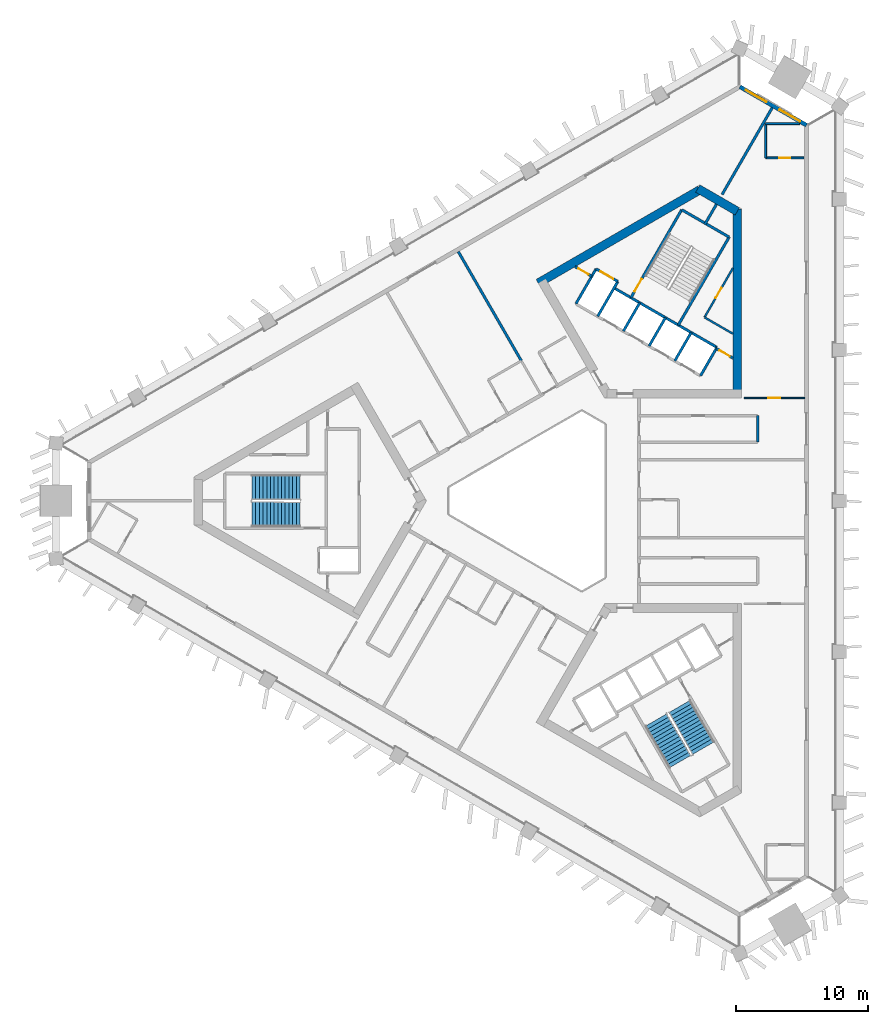
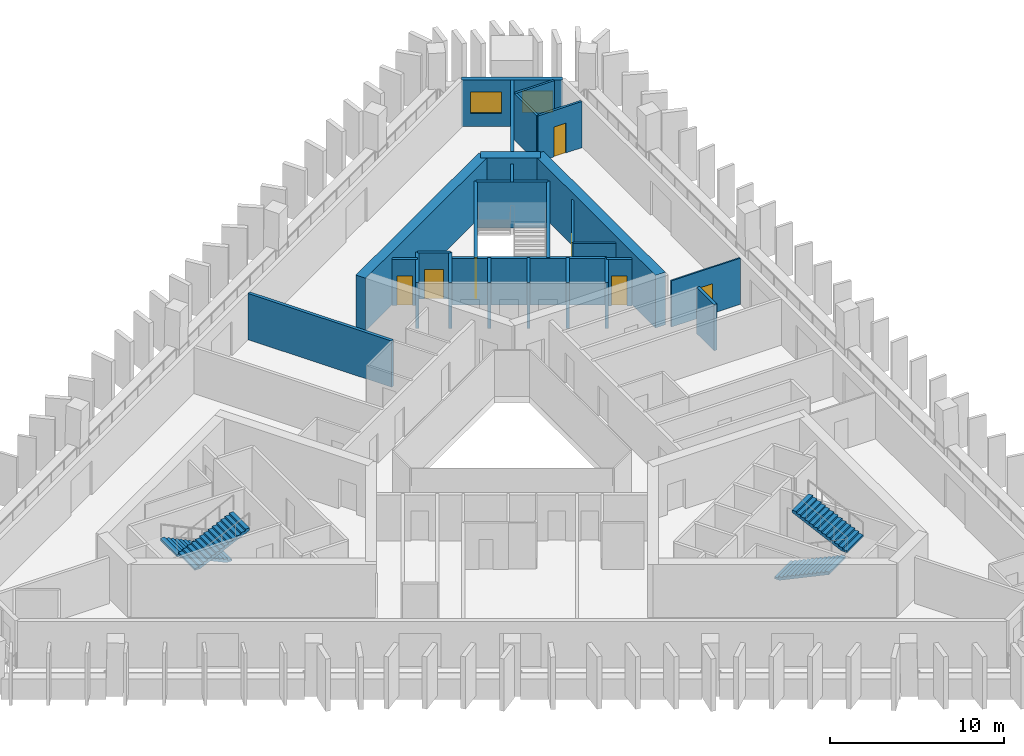
# One storey, part 6 of 11: 27 walls, 7 doors, 4 stair flights, 2 windows, 9 openings, 2 elements without a shape of their own.
"""IFC4 building model written with IfcOpenShell, lengths in metres."""

import ifcopenshell
import ifcopenshell.guid

model = None  # the IFC model being written
_history = None  # IfcOwnerHistory: only IFC2X3 demands one
_inside = {}  # id of a spatial element -> (the spatial element, [elements in it])
_under = {}  # id of a project, library or spatial element -> (it, [spatial elements below it])
_declared = {}  # id of a project -> (the project, [libraries it declares])
_typed = {}  # id of a type object -> (the type object, [elements of that type])
_made_of = {}  # id of a material, layer set ... -> (it, [elements and type objects made of it])


def new_model(schema):
    """Start an empty IFC model of exactly this schema.

    Asked for "IFC4X3", IfcOpenShell would pick the latest addendum, in which some entities
    have other attributes; the version numbers below select the first issue.
    IFC2X3 requires an IfcOwnerHistory on every rooted entity: one is made here for all.
    """
    global model, _history
    if schema == "IFC4X3":
        model = ifcopenshell.file(schema_version=(4, 3, 0, 0))
    else:
        model = ifcopenshell.file(schema=schema)
    _inside.clear()
    _under.clear()
    _declared.clear()
    _typed.clear()
    _made_of.clear()
    _history = None
    if model.schema == "IFC2X3":
        org = make("IfcOrganization", Name="unknown")
        user = make(
            "IfcPersonAndOrganization",
            ThePerson=make("IfcPerson", FamilyName="unknown"),
            TheOrganization=org,
        )
        app = make(
            "IfcApplication",
            ApplicationDeveloper=org,
            Version="unknown",
            ApplicationFullName="unknown",
            ApplicationIdentifier="unknown",
        )
        _history = make(
            "IfcOwnerHistory",
            OwningUser=user,
            OwningApplication=app,
            ChangeAction="ADDED",
            CreationDate=0,
        )
    return model


def make(cls, **values):
    """One entity of the class cls with the attributes given. An attribute that is None is left unset."""
    return model.create_entity(
        cls, **{name: value for name, value in values.items() if value is not None}
    )


def rooted(cls, **values):
    """An entity with a GlobalId (a new one), such as an element, a storey or a relation."""
    return make(cls, GlobalId=ifcopenshell.guid.new(), OwnerHistory=_history, **values)


def si_unit(unit_type, name, prefix=None):
    """IfcSIUnit, for example si_unit("LENGTHUNIT", "METRE", prefix="MILLI")."""
    return make("IfcSIUnit", UnitType=unit_type, Prefix=prefix, Name=name)


def assignment(units):
    """IfcUnitAssignment: the units of a project."""
    return None if units is None else make("IfcUnitAssignment", Units=units)


def point(xyz):
    """IfcCartesianPoint."""
    return None if xyz is None else make("IfcCartesianPoint", Coordinates=xyz)


def direction(xyz):
    """IfcDirection."""
    return None if xyz is None else make("IfcDirection", DirectionRatios=xyz)


def frame(location, z_axis=None, x_axis=None):
    """IfcAxis2Placement3D, a coordinate frame: its origin and axes. An axis left out is left unset."""
    return make(
        "IfcAxis2Placement3D",
        Location=point(location),
        Axis=direction(z_axis),
        RefDirection=direction(x_axis),
    )


def frame_2d(location, x_axis=None):
    """IfcAxis2Placement2D, a coordinate frame in the plane: its origin and x axis."""
    return make(
        "IfcAxis2Placement2D", Location=point(location), RefDirection=direction(x_axis)
    )


def origin():
    """The frame at (0, 0, 0) with its axes left unset."""
    return frame((0.0, 0.0, 0.0))


def place(relative_to, where):
    """IfcLocalPlacement: puts the frame where relative to a parent placement (None: the world)."""
    return make(
        "IfcLocalPlacement", PlacementRelTo=relative_to, RelativePlacement=where
    )


def context(
    kind, dimensions, precision=None, world=None, true_north=None, identifier=None
):
    """IfcGeometricRepresentationContext, for example the 3D "Model" context."""
    return make(
        "IfcGeometricRepresentationContext",
        ContextIdentifier=identifier,
        ContextType=kind,
        CoordinateSpaceDimension=dimensions,
        Precision=precision,
        WorldCoordinateSystem=world,
        TrueNorth=true_north,
    )


def subcontext(parent, identifier, kind, view, scale=None):
    """IfcGeometricRepresentationSubContext, for example "Body" below "Model"."""
    return make(
        "IfcGeometricRepresentationSubContext",
        ContextIdentifier=identifier,
        ContextType=kind,
        ParentContext=parent,
        TargetScale=scale,
        TargetView=view,
    )


def project(units=None, contexts=None):
    """IfcProject with its units and contexts."""
    return rooted(
        "IfcProject",
        Name="project",
        RepresentationContexts=contexts,
        UnitsInContext=assignment(units),
    )


def spatial(cls, under=None, at=None, **own):
    """A site, building, storey or space (cls), placed at a placement, below another one or the project."""
    s = rooted(cls, ObjectPlacement=at, **own)
    if under is not None:
        _under.setdefault(under.id(), (under, []))[1].append(s)
    return s


def polyline(points):
    """IfcPolyline through the points."""
    return make("IfcPolyline", Points=[point(p) for p in points])


def profile(cls, at=None, kind="AREA", **sizes):
    """A parametric profile (cls). Its sizes go by their IFC names, for example OverallWidth=200.0."""
    return make(cls, ProfileType=kind, Position=at, **sizes)


def rectangle(**sizes):
    """IfcRectangleProfileDef."""
    return profile("IfcRectangleProfileDef", **sizes)


def outline(outer, holes=None, kind="AREA"):
    """IfcArbitraryClosedProfileDef: a profile drawn as a closed curve; with holes, ...WithVoids."""
    if holes is None:
        return make("IfcArbitraryClosedProfileDef", ProfileType=kind, OuterCurve=outer)
    return make(
        "IfcArbitraryProfileDefWithVoids",
        ProfileType=kind,
        OuterCurve=outer,
        InnerCurves=holes,
    )


def extrude(swept, where, along, depth):
    """IfcExtrudedAreaSolid: the profile swept, set in the frame where, extruded along a direction by depth."""
    return make(
        "IfcExtrudedAreaSolid",
        SweptArea=swept,
        Position=where,
        ExtrudedDirection=direction(along),
        Depth=depth,
    )


def shape(context_of_items, identifier, shape_type, items):
    """IfcShapeRepresentation: the items that make up one representation, for example the "Body"."""
    return make(
        "IfcShapeRepresentation",
        ContextOfItems=context_of_items,
        RepresentationIdentifier=identifier,
        RepresentationType=shape_type,
        Items=items,
    )


def material(Name=None, Category=None):
    """IfcMaterial."""
    return make("IfcMaterial", Name=Name, Category=Category)


def layer(
    of_material, thickness, ventilated=None, Name=None, Category=None, Priority=None
):
    """IfcMaterialLayer: one layer of a wall or slab, of a material (None: an air gap)."""
    return make(
        "IfcMaterialLayer",
        Material=of_material,
        LayerThickness=thickness,
        IsVentilated=ventilated,
        Name=Name,
        Category=Category,
        Priority=Priority,
    )


def layer_set(layers, Name=None):
    """IfcMaterialLayerSet."""
    return make("IfcMaterialLayerSet", MaterialLayers=layers, LayerSetName=Name)


def made_of(thing, what):
    """Note that an element or type object is made of a material, layer set ...; save() writes the relation."""
    if what is not None:
        _made_of.setdefault(what.id(), (what, []))[1].append(thing)
    return thing


def type_object(cls, material=None, **own):
    """A type object (cls), such as IfcWallType, which elements share."""
    return made_of(rooted(cls, **own), material)


def element(
    cls,
    number,
    at=None,
    inside=None,
    cuts=None,
    type_object=None,
    material=None,
    context=None,
    identifier="Body",
    shape_type=None,
    held_by="IfcProductDefinitionShape",
    body=None,
    shapes=None,
    **own,
):
    """One element of the class cls, such as IfcWall. Its Tag is "e" and its number.

    at: its placement. inside: the storey or other place that contains it. cuts: it is an
    opening in that element (IfcRelVoidsElement). A single representation is given by context,
    identifier, shape_type and body (its items); several are given by shapes. held_by: the class
    of the entity that holds the representations. save() writes the other relations.
    """
    e = rooted(cls, Tag="e%d" % number, ObjectPlacement=at, **own)
    if body is not None:
        shapes = [shape(context, identifier, shape_type, body)]
    if shapes is not None:
        e.Representation = make(held_by, Representations=shapes)
    if inside is not None:
        _inside.setdefault(inside.id(), (inside, []))[1].append(e)
    if cuts is not None:
        rooted(
            "IfcRelVoidsElement", RelatingBuildingElement=cuts, RelatedOpeningElement=e
        )
    if type_object is not None:
        _typed.setdefault(type_object.id(), (type_object, []))[1].append(e)
    return made_of(e, material)


def fill(opening, filler):
    """IfcRelFillsElement: the door or window that sits in an opening."""
    return rooted(
        "IfcRelFillsElement",
        RelatingOpeningElement=opening,
        RelatedBuildingElement=filler,
    )


def aggregate(whole, parts):
    """IfcRelAggregates: a whole, such as a stair, and the parts it consists of."""
    return rooted("IfcRelAggregates", RelatingObject=whole, RelatedObjects=parts)


def save(model, path):
    """Write the relations noted so far, then the file.

    IfcRelAggregates (storeys below a building ...), IfcRelContainedInSpatialStructure (elements
    in a storey), IfcRelDefinesByType, IfcRelAssociatesMaterial and IfcRelDeclares: one each for
    every whole, place, type object, material and project.
    """
    for whole, parts in _under.values():
        aggregate(whole, parts)
    for where, things in _inside.values():
        rooted(
            "IfcRelContainedInSpatialStructure",
            RelatedElements=things,
            RelatingStructure=where,
        )
    for kind, things in _typed.values():
        rooted("IfcRelDefinesByType", RelatedObjects=things, RelatingType=kind)
    for what, things in _made_of.values():
        rooted("IfcRelAssociatesMaterial", RelatedObjects=things, RelatingMaterial=what)
    for by, libraries in _declared.values():
        rooted("IfcRelDeclares", RelatingContext=by, RelatedDefinitions=libraries)
    model.write(path)


model = new_model("IFC4")

# Units and contexts
model_context = context("Model", 3, precision=1e-05, world=origin(), true_north=direction((0.0, 1.0)))
body_context = subcontext(model_context, "Body", "Model", "MODEL_VIEW")
ifc_project = project(units=[si_unit("LENGTHUNIT", "METRE"), si_unit("AREAUNIT", "SQUARE_METRE"), si_unit("VOLUMEUNIT", "CUBIC_METRE"), si_unit("PLANEANGLEUNIT", "RADIAN"), si_unit("MASSUNIT", "GRAM", prefix="KILO")], contexts=[model_context])

# Site, building, storey
site_placement = place(None, origin())
site = spatial("IfcSite", under=ifc_project, at=site_placement, CompositionType="ELEMENT")
building_placement = place(site_placement, origin())
building = spatial("IfcBuilding", under=site, at=building_placement, Name="Jabali Bay Hotel Tower and Convention Centre", CompositionType="ELEMENT")
storey_placement = place(building_placement, frame((0.0, 0.0, 114.199951171875)))
storey = spatial("IfcBuildingStorey", under=building, at=storey_placement, Name="L27", CompositionType="ELEMENT", Elevation=114.199951171875)

# Wall
ifc_material_1 = material(Name="Concrete C40", Category="concrete")
ifc_layer_1 = layer(ifc_material_1, 0.199951171875)
ifc_layer_set_1 = layer_set([ifc_layer_1], Name="Concrete C40")
wall_type_1 = type_object("IfcWallType", Name="Core partition wall 200", PredefinedType="PARTITIONING", material=ifc_layer_set_1)
wall_1_placement = place(storey_placement, frame((87.090087890625, 100.9404296875, 0.0), z_axis=(0.0, 0.0, 1.0), x_axis=(0.499944938281, 0.866057191349, 0.0)))
element("IfcWall", 1, at=wall_1_placement, inside=storey, type_object=wall_type_1, Name="Core wall 1.5 L27", PredefinedType="PARTITIONING", context=body_context, shape_type="SweptSolid", body=[
    extrude(rectangle(XDim=1.773193359375, YDim=0.199951171875, at=frame_2d((0.88671875, 0.0))), origin(), (0.0, 0.0, 1.0), 3.25),
])

# Wall, opening, door
wall_2_placement = place(storey_placement, frame((89.22998046875, 90.813720703125, 0.0), z_axis=(0.0, 0.0, 1.0), x_axis=(-0.866022048785, 0.500005810984, 0.0)))
wall_2 = element("IfcWall", 2, at=wall_2_placement, inside=storey, type_object=wall_type_1, Name="Core wall 1.11 L27", PredefinedType="PARTITIONING", context=body_context, shape_type="SweptSolid", body=[
    extrude(rectangle(XDim=1.466796875, YDim=0.199951171875, at=frame_2d((0.7333984375, 0.0))), origin(), (0.0, 0.0, 1.0), 3.25),
])
opening_1_placement = place(wall_2_placement, frame((0.283447265625, 0.0, 0.0)))
opening_1 = element("IfcOpeningElement", 3, at=opening_1_placement, cuts=wall_2, Name="Opening D612", PredefinedType="OPENING", context=body_context, shape_type="SweptSolid", body=[
    extrude(rectangle(XDim=0.89990234375, YDim=2.10009765625, at=frame_2d((0.449951171875, 1.050048828125))), frame((0.0, 0.1103515625, 0.0), z_axis=(0.0, -1.0, 0.0), x_axis=(1.0, 0.0, 0.0)), (0.0, 0.0, 1.0), 0.220947265625),
])
ifc_material_2 = material(Name="Fire-rated steel door", Category="steel")
door_type_1 = type_object("IfcDoorType", Name="Vestibule fire door 900 x 2100", OperationType="NOTDEFINED", PredefinedType="NOTDEFINED", material=ifc_material_2)
door_1_placement = place(opening_1_placement, origin())
door_1 = element("IfcDoor", 4, at=door_1_placement, inside=storey, type_object=door_type_1, Name="Vestibule fire door D612", OperationType="SINGLE_SWING_LEFT", OverallHeight=2.10009765625, OverallWidth=0.89990234375, PredefinedType="NOTDEFINED", context=body_context, shape_type="SweptSolid", body=[
    extrude(rectangle(XDim=0.89990234375, YDim=2.10009765625, at=frame_2d((0.449951171875, 1.050048828125))), frame((0.0, 0.02490234375, 0.0), z_axis=(0.0, -1.0, 0.0), x_axis=(1.0, 0.0, 0.0)), (0.0, 0.0, 1.0), 0.050048828125),
])
fill(opening_1, door_1)

wall_3_placement = place(storey_placement, frame((78.5302734375, 97.014404296875, 0.0), z_axis=(0.0, 0.0, 1.0), x_axis=(-0.866045896294, 0.499964504253, 0.0)))
wall_3 = element("IfcWall", 5, at=wall_3_placement, inside=storey, type_object=wall_type_1, Name="Core wall 1.12 L27", PredefinedType="PARTITIONING", context=body_context, shape_type="SweptSolid", body=[
    extrude(rectangle(XDim=1.455078125, YDim=0.199951171875, at=frame_2d((0.7275390625, 0.0))), origin(), (0.0, 0.0, 1.0), 3.25),
])
opening_2_placement = place(wall_3_placement, frame((0.277587890625, 0.0, 0.0)))
opening_2 = element("IfcOpeningElement", 6, at=opening_2_placement, cuts=wall_3, Name="Opening D611", PredefinedType="OPENING", context=body_context, shape_type="SweptSolid", body=[
    extrude(rectangle(XDim=0.89990234375, YDim=2.10009765625, at=frame_2d((0.449951171875, 1.050048828125))), frame((0.0, 0.1103515625, 0.0), z_axis=(0.0, -1.0, 0.0), x_axis=(1.0, 0.0, 0.0)), (0.0, 0.0, 1.0), 0.220947265625),
])
door_2_placement = place(opening_2_placement, origin())
door_2 = element("IfcDoor", 7, at=door_2_placement, inside=storey, type_object=door_type_1, Name="Vestibule fire door D611", OperationType="SINGLE_SWING_LEFT", OverallHeight=2.10009765625, OverallWidth=0.89990234375, PredefinedType="NOTDEFINED", context=body_context, shape_type="SweptSolid", body=[
    extrude(rectangle(XDim=0.89990234375, YDim=2.10009765625, at=frame_2d((0.449951171875, 1.050048828125))), frame((0.0, 0.02490234375, 0.0), z_axis=(0.0, -1.0, 0.0), x_axis=(1.0, 0.0, 0.0)), (0.0, 0.0, 1.0), 0.050048828125),
])
fill(opening_2, door_2)

ifc_material_3 = material(Name="Fire-rated board partition")
ifc_layer_2 = layer(ifc_material_3, 0.14990234375)
ifc_layer_set_2 = layer_set([ifc_layer_2], Name="Fire-rated board partition")
wall_type_2 = type_object("IfcWallType", Name="Core room partition 150", PredefinedType="PARTITIONING", material=ifc_layer_set_2)
wall_4_placement = place(storey_placement, frame((87.071044921875, 93.90771484375, 0.0), z_axis=(0.0, 0.0, 1.0), x_axis=(0.500012861172, 0.866017978256, 0.0)))
wall_4 = element("IfcWall", 8, at=wall_4_placement, inside=storey, type_object=wall_type_2, Name="Core wall 1.1 L27", PredefinedType="PARTITIONING", context=body_context, shape_type="SweptSolid", body=[
    extrude(rectangle(XDim=4.31787109375, YDim=0.14990234375, at=frame_2d((2.158935546875, 0.0))), origin(), (0.0, 0.0, 1.0), 3.25),
])
opening_3_placement = place(wall_4_placement, frame((1.681396484375, 0.0, 0.0)))
opening_3 = element("IfcOpeningElement", 9, at=opening_3_placement, cuts=wall_4, Name="Opening D614", PredefinedType="OPENING", context=body_context, shape_type="SweptSolid", body=[
    extrude(rectangle(XDim=0.89990234375, YDim=2.10009765625, at=frame_2d((0.449951171875, 1.050048828125))), frame((0.0, 0.08544921875, 0.0), z_axis=(0.0, -1.0, 0.0), x_axis=(1.0, 0.0, 0.0)), (0.0, 0.0, 1.0), 0.1708984375),
])
door_type_2 = type_object("IfcDoorType", Name="Core room door 900 x 2100", OperationType="NOTDEFINED", PredefinedType="NOTDEFINED", material=ifc_material_2)
door_3_placement = place(opening_3_placement, origin())
door_3 = element("IfcDoor", 10, at=door_3_placement, inside=storey, type_object=door_type_2, Name="Core room door D614", OperationType="SINGLE_SWING_LEFT", OverallHeight=2.10009765625, OverallWidth=0.89990234375, PredefinedType="NOTDEFINED", context=body_context, shape_type="SweptSolid", body=[
    extrude(rectangle(XDim=0.89990234375, YDim=2.10009765625, at=frame_2d((0.449951171875, 1.050048828125))), frame((0.0, 0.02490234375, 0.0), z_axis=(0.0, -1.0, 0.0), x_axis=(1.0, 0.0, 0.0)), (0.0, 0.0, 1.0), 0.050048828125),
])
fill(opening_3, door_3)

# Walls
wall_5_placement = place(storey_placement, frame((89.22998046875, 92.661376953125, 0.0), z_axis=(0.0, 0.0, 1.0), x_axis=(-0.866046964233, 0.499962654349, 0.0)))
element("IfcWall", 11, at=wall_5_placement, inside=storey, type_object=wall_type_2, Name="Core wall 1.15 L27", PredefinedType="PARTITIONING", context=body_context, shape_type="SweptSolid", body=[
    extrude(rectangle(XDim=2.492919921875, YDim=0.14990234375, at=frame_2d((1.24658203125, 0.0))), origin(), (0.0, 0.0, 1.0), 3.25),
])
ifc_layer_3 = layer(ifc_material_1, 0.199951171875)
ifc_layer_set_3 = layer_set([ifc_layer_3], Name="Concrete C40")
wall_type_3 = type_object("IfcWallType", Name="Core stair wall 200", PredefinedType="SOLIDWALL", material=ifc_layer_set_3)
for number, where, z_axis, x_axis, name in (
    (12, (86.769775390625, 89.48583984375, 0.0), (0.0, 0.0, 1.0), (0.499961042966, 0.86604789447, 0.0), "Core wall 1.0 L27"),
    (13, (84.8212890625, 90.61083984375, 0.0), (0.0, 0.0, 1.0), (0.499961042966, 0.86604789447, 0.0), "Core wall 1.2 L27"),
):
    element("IfcWall", number, at=place(storey_placement, frame(where, z_axis=z_axis, x_axis=x_axis)), inside=storey, type_object=wall_type_3, Name=name, PredefinedType="SOLIDWALL", context=body_context, shape_type="SweptSolid", body=[
        extrude(rectangle(XDim=2.480224609375, YDim=0.199951171875, at=frame_2d((1.240234375, 0.0))), origin(), (0.0, 0.0, 1.0), 3.25),
    ])
wall_6_placement = place(storey_placement, frame((85.0869140625, 93.3212890625, 0.0), z_axis=(0.0, 0.0, 1.0), x_axis=(0.500019787375, 0.866013979237, 0.0)))
element("IfcWall", 14, at=wall_6_placement, inside=storey, type_object=wall_type_3, Name="Core wall 1.3 L27", PredefinedType="SOLIDWALL", context=body_context, shape_type="SweptSolid", body=[
    extrude(rectangle(XDim=7.699951171875, YDim=0.199951171875, at=frame_2d((3.85009765625, 0.0))), origin(), (0.0, 0.0, 1.0), 3.25),
])
for number, where, z_axis, x_axis, name in (
    (15, (82.872802734375, 91.73583984375, 0.0), (0.0, 0.0, 1.0), (0.499961042966, 0.86604789447, 0.0), "Core wall 1.4 L27"),
    (16, (80.924072265625, 92.86083984375, 0.0), (0.0, 0.0, 1.0), (0.499961042966, 0.86604789447, 0.0), "Core wall 1.6 L27"),
):
    element("IfcWall", number, at=place(storey_placement, frame(where, z_axis=z_axis, x_axis=x_axis)), inside=storey, type_object=wall_type_3, Name=name, PredefinedType="SOLIDWALL", context=body_context, shape_type="SweptSolid", body=[
        extrude(rectangle(XDim=2.480224609375, YDim=0.199951171875, at=frame_2d((1.240234375, 0.0))), origin(), (0.0, 0.0, 1.0), 3.25),
    ])

# Wall, opening, door
wall_7_placement = place(storey_placement, frame((81.492919921875, 95.396240234375, 0.0), z_axis=(0.0, 0.0, 1.0), x_axis=(0.500006057782, 0.866021906294, 0.0)))
wall_7 = element("IfcWall", 17, at=wall_7_placement, inside=storey, type_object=wall_type_3, Name="Core wall 1.7 L27", PredefinedType="SOLIDWALL", context=body_context, shape_type="SweptSolid", body=[
    extrude(rectangle(XDim=7.7001953125, YDim=0.199951171875, at=frame_2d((3.85009765625, 0.0))), origin(), (0.0, 0.0, 1.0), 3.25),
])
opening_4_placement = place(wall_7_placement, frame((0.550048828125, 0.0, 0.0)))
opening_4 = element("IfcOpeningElement", 18, at=opening_4_placement, cuts=wall_7, Name="Opening D613", PredefinedType="OPENING", context=body_context, shape_type="SweptSolid", body=[
    extrude(rectangle(XDim=1.10009765625, YDim=2.10009765625, at=frame_2d((0.550048828125, 1.050048828125))), frame((0.0, 0.1103515625, 0.0), z_axis=(0.0, -1.0, 0.0), x_axis=(1.0, 0.0, 0.0)), (0.0, 0.0, 1.0), 0.220947265625),
])
door_type_3 = type_object("IfcDoorType", Name="Stair fire door 1100 x 2100", OperationType="NOTDEFINED", PredefinedType="NOTDEFINED", material=ifc_material_2)
door_4_placement = place(opening_4_placement, origin())
door_4 = element("IfcDoor", 19, at=door_4_placement, inside=storey, type_object=door_type_3, Name="Stair fire door D613", OperationType="SINGLE_SWING_RIGHT", OverallHeight=2.10009765625, OverallWidth=1.10009765625, PredefinedType="NOTDEFINED", context=body_context, shape_type="SweptSolid", body=[
    extrude(rectangle(XDim=1.10009765625, YDim=2.10009765625, at=frame_2d((0.550048828125, 1.050048828125))), frame((0.0, 0.02490234375, 0.0), z_axis=(0.0, -1.0, 0.0), x_axis=(1.0, 0.0, 0.0)), (0.0, 0.0, 1.0), 0.050048828125),
])
fill(opening_4, door_4)

# Walls
for number, where, z_axis, x_axis, name in (
    (20, (78.9755859375, 93.98583984375, 0.0), (0.0, 0.0, 1.0), (0.499944174705, 0.866057632134, 0.0), "Core wall 1.8 L27"),
    (21, (77.330078125, 94.93603515625, 0.0), (0.0, 0.0, 1.0), (0.500038867431, 0.8660029625, 0.0), "Core wall 1.9 L27"),
):
    element("IfcWall", number, at=place(storey_placement, frame(where, z_axis=z_axis, x_axis=x_axis)), inside=storey, type_object=wall_type_3, Name=name, PredefinedType="SOLIDWALL", context=body_context, shape_type="SweptSolid", body=[
        extrude(rectangle(XDim=3.050048828125, YDim=0.199951171875, at=frame_2d((1.52490234375, 0.0))), origin(), (0.0, 0.0, 1.0), 3.25),
    ])
wall_8_placement = place(storey_placement, frame((88.009765625, 91.6337890625, 0.0), z_axis=(0.0, 0.0, 1.0), x_axis=(-0.866024315419, 0.5000018851, 0.0)))
element("IfcWall", 22, at=wall_8_placement, inside=storey, type_object=wall_type_3, Name="Core wall 1.13 L27", PredefinedType="SOLIDWALL", context=body_context, shape_type="SweptSolid", body=[
    extrude(rectangle(XDim=9.0, YDim=0.199951171875, at=frame_2d((4.5, 0.0))), origin(), (0.0, 0.0, 1.0), 3.25),
])

# Wall, opening, door
wall_9_placement = place(storey_placement, frame((80.50048828125, 96.62744140625, 0.0), z_axis=(0.0, 0.0, 1.0), x_axis=(-0.86601224135, 0.500022797313, 0.0)))
wall_9 = element("IfcWall", 23, at=wall_9_placement, inside=storey, type_object=wall_type_3, Name="Core wall 1.14 L27", PredefinedType="SOLIDWALL", context=body_context, shape_type="SweptSolid", body=[
    extrude(rectangle(XDim=1.89990234375, YDim=0.199951171875, at=frame_2d((0.949951171875, 0.0))), origin(), (0.0, 0.0, 1.0), 3.25),
])
opening_5_placement = place(wall_9_placement, frame((0.39990234375, 0.0, 0.0)))
opening_5 = element("IfcOpeningElement", 24, at=opening_5_placement, cuts=wall_9, Name="Opening LD10-L27", PredefinedType="OPENING", context=body_context, shape_type="SweptSolid", body=[
    extrude(rectangle(XDim=1.10009765625, YDim=2.10009765625, at=frame_2d((0.550048828125, 1.050048828125))), frame((0.0, 0.1103515625, 0.0), z_axis=(0.0, -1.0, 0.0), x_axis=(1.0, 0.0, 0.0)), (0.0, 0.0, 1.0), 0.220947265625),
])
ifc_material_4 = material(Name="Stainless steel landing door", Category="steel")
door_type_4 = type_object("IfcDoorType", Name="Landing door 1100 x 2100", OperationType="NOTDEFINED", PredefinedType="NOTDEFINED", material=ifc_material_4)
door_5_placement = place(opening_5_placement, origin())
door_5 = element("IfcDoor", 25, at=door_5_placement, inside=storey, type_object=door_type_4, Name="Landing doors LD10-L27", OperationType="SLIDING_TO_RIGHT", OverallHeight=2.10009765625, OverallWidth=1.10009765625, PredefinedType="NOTDEFINED", context=body_context, shape_type="SweptSolid", body=[
    extrude(rectangle(XDim=1.10009765625, YDim=2.10009765625, at=frame_2d((0.550048828125, 1.050048828125))), frame((0.0, 0.02490234375, 0.0), z_axis=(0.0, -1.0, 0.0), x_axis=(1.0, 0.0, 0.0)), (0.0, 0.0, 1.0), 0.050048828125),
])
fill(opening_5, door_5)

# Walls
wall_10_placement = place(storey_placement, frame((88.93701171875, 99.989501953125, 0.0), z_axis=(0.0, 0.0, 1.0), x_axis=(-0.866004344652, 0.500036473714, 0.0)))
element("IfcWall", 26, at=wall_10_placement, inside=storey, type_object=wall_type_3, Name="Core wall 1.16 L27", PredefinedType="SOLIDWALL", context=body_context, shape_type="SweptSolid", body=[
    extrude(rectangle(XDim=4.150146484375, YDim=0.199951171875, at=frame_2d((2.0751953125, 0.0))), origin(), (0.0, 0.0, 1.0), 3.25),
])
ifc_material_5 = material(Name="Concrete C60", Category="concrete")
ifc_layer_4 = layer(ifc_material_5, 0.64990234375)
ifc_layer_set_4 = layer_set([ifc_layer_4], Name="Concrete C60")
wall_type_4 = type_object("IfcWallType", Name="Core wall 650", PredefinedType="SHEAR", material=ifc_layer_set_4)
wall_11_placement = place(storey_placement, frame((89.554931640625, 88.119140625, 0.0), z_axis=(0.0, 0.0, 1.0), x_axis=(0.0, 1.0, 0.0)))
element("IfcWall", 27, at=wall_11_placement, inside=storey, type_object=wall_type_4, Name="Core wall 2.2 L27", PredefinedType="SHEAR", context=body_context, shape_type="SweptSolid", body=[
    extrude(rectangle(XDim=14.008544921875, YDim=0.64990234375, at=frame_2d((7.00439453125, 0.0))), origin(), (0.0, 0.0, 1.0), 3.699951171875),
])
wall_12_placement = place(storey_placement, frame((89.554931640625, 101.93994140625, 0.0), z_axis=(0.0, 0.0, 1.0), x_axis=(-0.866031550877, 0.499989352773, 0.0)))
element("IfcWall", 28, at=wall_12_placement, inside=storey, type_object=wall_type_4, Name="Core wall 2.3 L27", PredefinedType="SHEAR", context=body_context, shape_type="SweptSolid", body=[
    extrude(rectangle(XDim=3.45751953125, YDim=0.64990234375, at=frame_2d((1.728759765625, 0.0))), origin(), (0.0, 0.0, 1.0), 3.699951171875),
])
wall_13_placement = place(storey_placement, frame((86.72314453125, 103.574951171875, 0.0), z_axis=(0.0, 0.0, 1.0), x_axis=(-0.866031824457, -0.499988878904, 0.0)))
element("IfcWall", 29, at=wall_13_placement, inside=storey, type_object=wall_type_4, Name="Core wall 2.4 L27", PredefinedType="SHEAR", context=body_context, shape_type="SweptSolid", body=[
    extrude(rectangle(XDim=14.145751953125, YDim=0.64990234375, at=frame_2d((7.07275390625, 0.0))), origin(), (0.0, 0.0, 1.0), 3.699951171875),
])

# Wall, openings, windows
ifc_layer_5 = layer(ifc_material_1, 0.300048828125)
ifc_layer_set_5 = layer_set([ifc_layer_5], Name="Concrete C40")
wall_type_5 = type_object("IfcWallType", Name="External wall 300", PredefinedType="SOLIDWALL", material=ifc_layer_set_5)
wall_14_placement = place(storey_placement, frame((89.754638671875, 111.3818359375, 0.0), z_axis=(0.0, 0.0, 1.0), x_axis=(0.866016705814, -0.500015065024, 0.0)))
wall_14 = element("IfcWall", 30, at=wall_14_placement, inside=storey, type_object=wall_type_5, Name="External wall north-east chamfer L27", PredefinedType="SOLIDWALL", context=body_context, shape_type="SweptSolid", body=[
    extrude(rectangle(XDim=5.825927734375, YDim=0.300048828125, at=frame_2d((2.9130859375, 0.0))), origin(), (0.0, 0.0, 1.0), 3.25),
])
opening_6_placement = place(wall_14_placement, frame((3.474609375, 0.0, 0.89990234375)))
opening_6 = element("IfcOpeningElement", 31, at=opening_6_placement, cuts=wall_14, Name="Opening W1", PredefinedType="OPENING", context=body_context, shape_type="SweptSolid", body=[
    extrude(rectangle(XDim=1.800048828125, YDim=1.5, at=frame_2d((0.89990234375, 0.75))), frame((0.0, 0.16064453125, 0.0), z_axis=(0.0, -1.0, 0.0), x_axis=(1.0, 0.0, 0.0)), (0.0, 0.0, 1.0), 0.321044921875),
])
opening_7_placement = place(wall_14_placement, frame((0.513671875, 0.0, 0.89990234375)))
opening_7 = element("IfcOpeningElement", 32, at=opening_7_placement, cuts=wall_14, Name="Opening W1", PredefinedType="OPENING", context=body_context, shape_type="SweptSolid", body=[
    extrude(rectangle(XDim=1.800048828125, YDim=1.5, at=frame_2d((0.89990234375, 0.75))), frame((0.0, 0.16064453125, 0.0), z_axis=(0.0, -1.0, 0.0), x_axis=(1.0, 0.0, 0.0)), (0.0, 0.0, 1.0), 0.321044921875),
])
ifc_material_6 = material(Name="Glass", Category="glass")
window_type = type_object("IfcWindowType", Name="Window 1800 x 1500", PartitioningType="SINGLE_PANEL", PredefinedType="WINDOW", material=ifc_material_6)
window_1_placement = place(opening_6_placement, origin())
window_1 = element("IfcWindow", 33, at=window_1_placement, inside=storey, type_object=window_type, Name="Window 2704", OverallHeight=1.5, OverallWidth=1.800048828125, PartitioningType="SINGLE_PANEL", PredefinedType="WINDOW", context=body_context, shape_type="SweptSolid", body=[
    extrude(rectangle(XDim=1.800048828125, YDim=1.5, at=frame_2d((0.89990234375, 0.75))), frame((0.0, 0.030029296875, 0.0), z_axis=(0.0, -1.0, 0.0), x_axis=(1.0, 0.0, 0.0)), (0.0, 0.0, 1.0), 0.06005859375),
])
fill(opening_6, window_1)
window_2_placement = place(opening_7_placement, origin())
window_2 = element("IfcWindow", 34, at=window_2_placement, inside=storey, type_object=window_type, Name="Window 2706", OverallHeight=1.5, OverallWidth=1.800048828125, PartitioningType="SINGLE_PANEL", PredefinedType="WINDOW", context=body_context, shape_type="SweptSolid", body=[
    extrude(rectangle(XDim=1.800048828125, YDim=1.5, at=frame_2d((0.89990234375, 0.75))), frame((0.0, 0.030029296875, 0.0), z_axis=(0.0, -1.0, 0.0), x_axis=(1.0, 0.0, 0.0)), (0.0, 0.0, 1.0), 0.06005859375),
])
fill(opening_7, window_2)

# Wall, opening, door
ifc_material_7 = material(Name="Plasterboard on steel stud", Category="steel")
ifc_layer_6 = layer(ifc_material_7, 0.10009765625)
ifc_layer_set_6 = layer_set([ifc_layer_6], Name="Plasterboard on steel stud")
wall_type_6 = type_object("IfcWallType", Name="Partition 100 unit", PredefinedType="PARTITIONING", material=ifc_layer_set_6)
wall_15_placement = place(storey_placement, frame((94.651123046875, 87.794189453125, 0.0), z_axis=(0.0, 0.0, 1.0), x_axis=(-1.0, 0.0, 0.0)))
wall_15 = element("IfcWall", 35, at=wall_15_placement, inside=storey, type_object=wall_type_6, Name="Partition P02 L27 014", PredefinedType="PARTITIONING", context=body_context, shape_type="SweptSolid", body=[
    extrude(rectangle(XDim=4.572021484375, YDim=0.10009765625, at=frame_2d((2.2861328125, 0.0))), origin(), (0.0, 0.0, 1.0), 3.25),
])
opening_8_placement = place(wall_15_placement, frame((1.8359375, 0.0, 0.0)))
opening_8 = element("IfcOpeningElement", 36, at=opening_8_placement, cuts=wall_15, Name="Opening 2708", PredefinedType="OPENING", context=body_context, shape_type="SweptSolid", body=[
    extrude(rectangle(XDim=0.89990234375, YDim=2.10009765625, at=frame_2d((0.449951171875, 1.050048828125))), frame((0.0, 0.060546875, 0.0), z_axis=(0.0, -1.0, 0.0), x_axis=(1.0, 0.0, 0.0)), (0.0, 0.0, 1.0), 0.12109375),
])
ifc_material_8 = material(Name="Timber", Category="wood")
door_type_5 = type_object("IfcDoorType", Name="Internal door 900 x 2100", OperationType="NOTDEFINED", PredefinedType="NOTDEFINED", material=ifc_material_8)
door_6_placement = place(opening_8_placement, origin())
door_6 = element("IfcDoor", 37, at=door_6_placement, inside=storey, type_object=door_type_5, Name="Door 2708", OperationType="SINGLE_SWING_LEFT", OverallHeight=2.10009765625, OverallWidth=0.89990234375, PredefinedType="NOTDEFINED", context=body_context, shape_type="SweptSolid", body=[
    extrude(rectangle(XDim=0.89990234375, YDim=2.10009765625, at=frame_2d((0.449951171875, 1.050048828125))), frame((0.0, 0.02490234375, 0.0), z_axis=(0.0, -1.0, 0.0), x_axis=(1.0, 0.0, 0.0)), (0.0, 0.0, 1.0), 0.050048828125),
])
fill(opening_8, door_6)

ifc_layer_7 = layer(ifc_material_7, 0.14990234375)
ifc_layer_set_7 = layer_set([ifc_layer_7], Name="Plasterboard on steel stud")
wall_type_7 = type_object("IfcWallType", Name="Partition 150 wet", PredefinedType="PARTITIONING", material=ifc_layer_set_7)
wall_16_placement = place(storey_placement, frame((94.6015625, 105.994140625, 0.0), z_axis=(0.0, 0.0, 1.0), x_axis=(-1.0, 0.0, 0.0)))
wall_16 = element("IfcWall", 38, at=wall_16_placement, inside=storey, type_object=wall_type_7, Name="Partition P03 L27 018", PredefinedType="PARTITIONING", context=body_context, shape_type="SweptSolid", body=[
    extrude(rectangle(XDim=2.89990234375, YDim=0.14990234375, at=frame_2d((1.449951171875, 0.0))), origin(), (0.0, 0.0, 1.0), 3.25),
])
opening_9_placement = place(wall_16_placement, frame((1.050048828125, 0.0, 0.0)))
opening_9 = element("IfcOpeningElement", 39, at=opening_9_placement, cuts=wall_16, Name="Opening 2709", PredefinedType="OPENING", context=body_context, shape_type="SweptSolid", body=[
    extrude(rectangle(XDim=0.800048828125, YDim=2.10009765625, at=frame_2d((0.39990234375, 1.050048828125))), frame((0.0, 0.08544921875, 0.0), z_axis=(0.0, -1.0, 0.0), x_axis=(1.0, 0.0, 0.0)), (0.0, 0.0, 1.0), 0.1708984375),
])
door_type_6 = type_object("IfcDoorType", Name="En-suite door 800 x 2100", OperationType="NOTDEFINED", PredefinedType="NOTDEFINED", material=ifc_material_8)
door_7_placement = place(opening_9_placement, origin())
door_7 = element("IfcDoor", 40, at=door_7_placement, inside=storey, type_object=door_type_6, Name="Door 2709", OperationType="SINGLE_SWING_LEFT", OverallHeight=2.10009765625, OverallWidth=0.800048828125, PredefinedType="NOTDEFINED", context=body_context, shape_type="SweptSolid", body=[
    extrude(rectangle(XDim=0.800048828125, YDim=2.10009765625, at=frame_2d((0.39990234375, 1.050048828125))), frame((0.0, 0.02490234375, 0.0), z_axis=(0.0, -1.0, 0.0), x_axis=(1.0, 0.0, 0.0)), (0.0, 0.0, 1.0), 0.050048828125),
])
fill(opening_9, door_7)

# Walls
wall_17_placement = place(storey_placement, frame((91.70166015625, 105.994140625, 0.0), z_axis=(0.0, 0.0, 1.0), x_axis=(0.0, 1.0, 0.0)))
element("IfcWall", 41, at=wall_17_placement, inside=storey, type_object=wall_type_7, Name="Partition P03 L27 019", PredefinedType="PARTITIONING", context=body_context, shape_type="SweptSolid", body=[
    extrude(rectangle(XDim=2.60009765625, YDim=0.14990234375, at=frame_2d((1.300048828125, 0.0))), origin(), (0.0, 0.0, 1.0), 3.25),
])
wall_18_placement = place(storey_placement, frame((91.70166015625, 108.59423828125, 0.0), z_axis=(0.0, 0.0, 1.0), x_axis=(1.0, 0.0, 0.0)))
element("IfcWall", 42, at=wall_18_placement, inside=storey, type_object=wall_type_7, Name="Partition P03 L27 020", PredefinedType="PARTITIONING", context=body_context, shape_type="SweptSolid", body=[
    extrude(rectangle(XDim=2.583251953125, YDim=0.14990234375, at=frame_2d((1.29150390625, 0.0))), origin(), (0.0, 0.0, 1.0), 3.25),
])
ifc_layer_8 = layer(ifc_material_7, 0.199951171875)
ifc_layer_set_8 = layer_set([ifc_layer_8], Name="Plasterboard on steel stud")
wall_type_8 = type_object("IfcWallType", Name="Partition 200 party", PredefinedType="PARTITIONING", material=ifc_layer_set_8)
wall_19_placement = place(storey_placement, frame((91.10009765625, 86.4560546875, 0.0), z_axis=(0.0, 0.0, 1.0), x_axis=(0.0, -1.0, 0.0)))
element("IfcWall", 43, at=wall_19_placement, inside=storey, type_object=wall_type_8, Name="Partition P01 L27 016", PredefinedType="PARTITIONING", context=body_context, shape_type="SweptSolid", body=[
    extrude(rectangle(XDim=2.0, YDim=0.199951171875, at=frame_2d((1.0, 0.0))), origin(), (0.0, 0.0, 1.0), 3.25),
])
wall_20_placement = place(storey_placement, frame((92.203857421875, 109.795654296875, 0.0), z_axis=(0.0, 0.0, 1.0), x_axis=(-0.500017062213, -0.866015552687, 0.0)))
element("IfcWall", 44, at=wall_20_placement, inside=storey, type_object=wall_type_8, Name="Partition P01 L27 021", PredefinedType="PARTITIONING", context=body_context, shape_type="SweptSolid", body=[
    extrude(rectangle(XDim=7.603759765625, YDim=0.199951171875, at=frame_2d((3.8017578125, 0.0))), origin(), (0.0, 0.0, 1.0), 3.25),
])
wall_21_placement = place(storey_placement, frame((68.41455078125, 98.888916015625, 0.0), z_axis=(0.0, 0.0, 1.0), x_axis=(0.499987977232, -0.866032345022, 0.0)))
element("IfcWall", 45, at=wall_21_placement, inside=storey, type_object=wall_type_8, Name="Partition P01 L27 024", PredefinedType="PARTITIONING", context=body_context, shape_type="SweptSolid", body=[
    extrude(rectangle(XDim=9.551025390625, YDim=0.199951171875, at=frame_2d((4.775390625, 0.0))), origin(), (0.0, 0.0, 1.0), 3.25),
])

# Stair, stair flights
stair_type = type_object("IfcStairType", Name="Exit stair 1900", PredefinedType="HALF_TURN_STAIR", material=ifc_material_1)
stair_1_placement = place(storey_placement, origin())
stair_1 = element("IfcStair", 46, at=stair_1_placement, inside=storey, type_object=stair_type, Name="L27 Exit Stair 1", PredefinedType="HALF_TURN_STAIR")
stair_flight_type = type_object("IfcStairFlightType", Name="Stair flight concrete 150", PredefinedType="STRAIGHT", material=ifc_material_1)
stair_flight_1_placement = place(storey_placement, frame((56.419921875, 81.02490234375, 0.0), z_axis=(0.0, 0.0, 1.0), x_axis=(-1.0, 0.0, 0.0)))
stair_flight_1 = element("IfcStairFlight", 47, at=stair_flight_1_placement, type_object=stair_flight_type, Name="ST1 flight 1", NumberOfRisers=14, NumberOfTreads=13, PredefinedType="STRAIGHT", RiserHeight=0.132142857, TreadLength=0.28, context=body_context, shape_type="SweptSolid", body=[
    extrude(outline(polyline([(0.0, 0.0), (0.0, 0.132080078125), (0.280029296875, 0.132080078125), (0.280029296875, 0.264404296875), (0.56005859375, 0.264404296875), (0.56005859375, 0.396484375), (0.840087890625, 0.396484375), (0.840087890625, 0.528564453125), (1.1201171875, 0.528564453125), (1.1201171875, 0.66064453125), (1.39990234375, 0.66064453125), (1.39990234375, 0.79296875), (1.679931640625, 0.79296875), (1.679931640625, 0.925048828125), (1.9599609375, 0.925048828125), (1.9599609375, 1.05712890625), (2.239990234375, 1.05712890625), (2.239990234375, 1.189208984375), (2.52001953125, 1.189208984375), (2.52001953125, 1.321533203125), (2.800048828125, 1.321533203125), (2.800048828125, 1.45361328125), (3.080078125, 1.45361328125), (3.080078125, 1.585693359375), (3.360107421875, 1.585693359375), (3.360107421875, 1.7177734375), (3.639892578125, 1.7177734375), (3.639892578125, 1.85009765625), (3.639892578125, 1.552001953125), (0.351318359375, 0.0), (0.0, 0.0)])), frame((0.0, 0.949951171875, 0.0), z_axis=(0.0, -1.0, 0.0), x_axis=(1.0, 0.0, 0.0)), (0.0, 0.0, 1.0), 1.89990234375),
])
stair_flight_2_placement = place(storey_placement, frame((52.780029296875, 78.97509765625, 1.85009765625), z_axis=(0.0, 0.0, 1.0), x_axis=(1.0, 0.0, 0.0)))
stair_flight_2 = element("IfcStairFlight", 48, at=stair_flight_2_placement, type_object=stair_flight_type, Name="ST1 flight 2", NumberOfRisers=14, NumberOfTreads=13, PredefinedType="STRAIGHT", RiserHeight=0.132142857, TreadLength=0.28, context=body_context, shape_type="SweptSolid", body=[
    extrude(outline(polyline([(0.0, 0.0), (0.0, 0.132080078125), (0.280029296875, 0.132080078125), (0.280029296875, 0.264404296875), (0.56005859375, 0.264404296875), (0.56005859375, 0.396484375), (0.840087890625, 0.396484375), (0.840087890625, 0.528564453125), (1.1201171875, 0.528564453125), (1.1201171875, 0.66064453125), (1.39990234375, 0.66064453125), (1.39990234375, 0.79296875), (1.679931640625, 0.79296875), (1.679931640625, 0.925048828125), (1.9599609375, 0.925048828125), (1.9599609375, 1.05712890625), (2.239990234375, 1.05712890625), (2.239990234375, 1.189208984375), (2.52001953125, 1.189208984375), (2.52001953125, 1.321533203125), (2.800048828125, 1.321533203125), (2.800048828125, 1.45361328125), (3.080078125, 1.45361328125), (3.080078125, 1.585693359375), (3.360107421875, 1.585693359375), (3.360107421875, 1.7177734375), (3.639892578125, 1.7177734375), (3.639892578125, 1.85009765625), (3.639892578125, 1.552001953125), (0.351318359375, 0.0), (0.0, 0.0)])), frame((0.0, 0.949951171875, 0.0), z_axis=(0.0, -1.0, 0.0), x_axis=(1.0, 0.0, 0.0)), (0.0, 0.0, 1.0), 1.89990234375),
])
aggregate(stair_1, [stair_flight_1, stair_flight_2])

stair_2_placement = place(storey_placement, origin())
stair_2 = element("IfcStair", 49, at=stair_2_placement, inside=storey, type_object=stair_type, Name="L27 Exit Stair 3", PredefinedType="HALF_TURN_STAIR")
stair_flight_3_placement = place(storey_placement, frame((83.40234375, 63.396728515625, 0.0), z_axis=(0.0, 0.0, 1.0), x_axis=(0.5, -0.866025403784, 0.0)))
stair_flight_3 = element("IfcStairFlight", 50, at=stair_flight_3_placement, type_object=stair_flight_type, Name="ST3 flight 1", NumberOfRisers=14, NumberOfTreads=13, PredefinedType="STRAIGHT", RiserHeight=0.132142857, TreadLength=0.28, context=body_context, shape_type="SweptSolid", body=[
    extrude(outline(polyline([(0.0, 0.0), (0.0, 0.132080078125), (0.280029296875, 0.132080078125), (0.280029296875, 0.264404296875), (0.56005859375, 0.264404296875), (0.56005859375, 0.396484375), (0.840087890625, 0.396484375), (0.840087890625, 0.528564453125), (1.1201171875, 0.528564453125), (1.1201171875, 0.66064453125), (1.39990234375, 0.66064453125), (1.39990234375, 0.79296875), (1.679931640625, 0.79296875), (1.679931640625, 0.925048828125), (1.9599609375, 0.925048828125), (1.9599609375, 1.05712890625), (2.239990234375, 1.05712890625), (2.239990234375, 1.189208984375), (2.52001953125, 1.189208984375), (2.52001953125, 1.321533203125), (2.800048828125, 1.321533203125), (2.800048828125, 1.45361328125), (3.080078125, 1.45361328125), (3.080078125, 1.585693359375), (3.360107421875, 1.585693359375), (3.360107421875, 1.7177734375), (3.639892578125, 1.7177734375), (3.639892578125, 1.85009765625), (3.639892578125, 1.552001953125), (0.351318359375, 0.0), (0.0, 0.0)])), frame((0.0, 0.949951171875, 0.0), z_axis=(0.0, -1.0, 0.0), x_axis=(1.0, 0.0, 0.0)), (0.0, 0.0, 1.0), 1.89990234375),
])
stair_flight_4_placement = place(storey_placement, frame((86.99755859375, 61.26953125, 1.85009765625), z_axis=(0.0, 0.0, 1.0), x_axis=(-0.5, 0.866025403784, 0.0)))
stair_flight_4 = element("IfcStairFlight", 51, at=stair_flight_4_placement, type_object=stair_flight_type, Name="ST3 flight 2", NumberOfRisers=14, NumberOfTreads=13, PredefinedType="STRAIGHT", RiserHeight=0.132142857, TreadLength=0.28, context=body_context, shape_type="SweptSolid", body=[
    extrude(outline(polyline([(0.0, 0.0), (0.0, 0.132080078125), (0.280029296875, 0.132080078125), (0.280029296875, 0.264404296875), (0.56005859375, 0.264404296875), (0.56005859375, 0.396484375), (0.840087890625, 0.396484375), (0.840087890625, 0.528564453125), (1.1201171875, 0.528564453125), (1.1201171875, 0.66064453125), (1.39990234375, 0.66064453125), (1.39990234375, 0.79296875), (1.679931640625, 0.79296875), (1.679931640625, 0.925048828125), (1.9599609375, 0.925048828125), (1.9599609375, 1.05712890625), (2.239990234375, 1.05712890625), (2.239990234375, 1.189208984375), (2.52001953125, 1.189208984375), (2.52001953125, 1.321533203125), (2.800048828125, 1.321533203125), (2.800048828125, 1.45361328125), (3.080078125, 1.45361328125), (3.080078125, 1.585693359375), (3.360107421875, 1.585693359375), (3.360107421875, 1.7177734375), (3.639892578125, 1.7177734375), (3.639892578125, 1.85009765625), (3.639892578125, 1.552001953125), (0.351318359375, 0.0), (0.0, 0.0)])), frame((0.0, 0.949951171875, 0.0), z_axis=(0.0, -1.0, 0.0), x_axis=(1.0, 0.0, 0.0)), (0.0, 0.0, 1.0), 1.89990234375),
])
aggregate(stair_2, [stair_flight_3, stair_flight_4])

save(model, "model.ifc")
